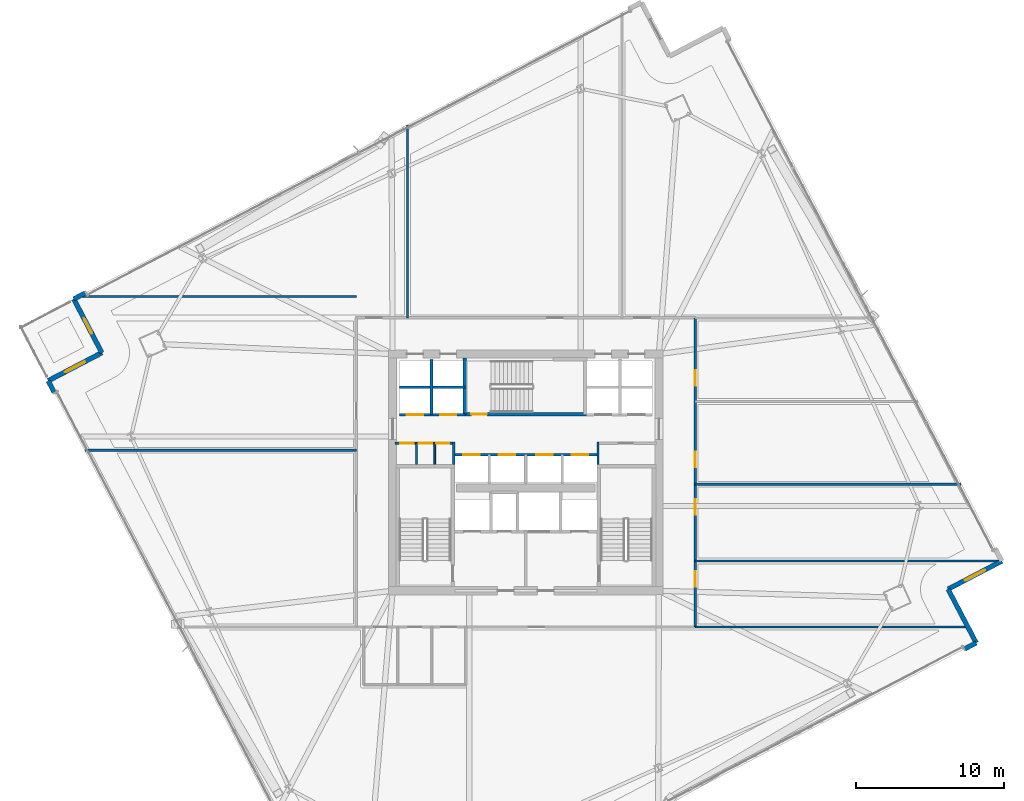
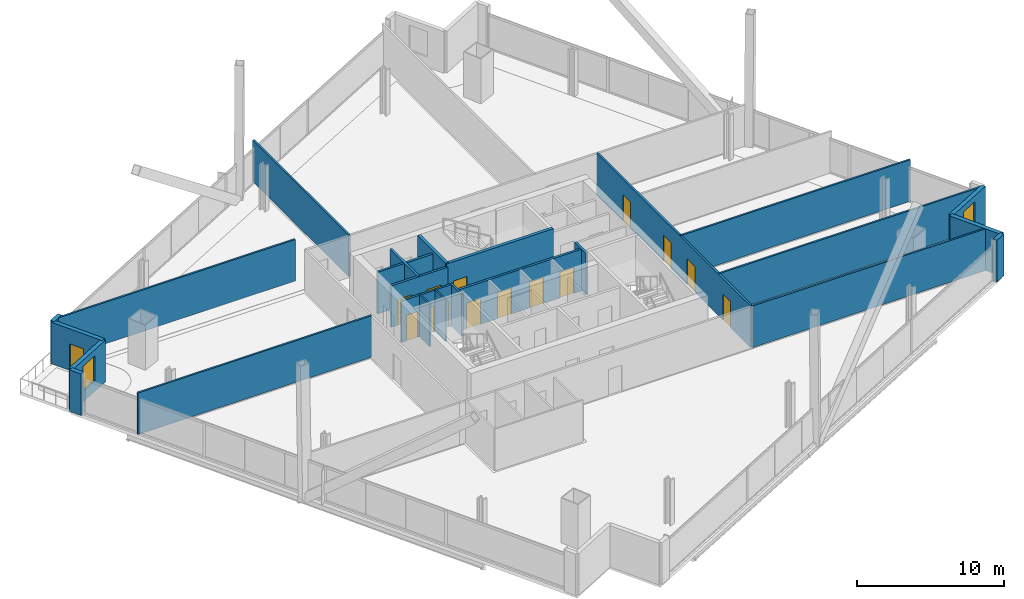
# One storey, part 27 of 33: 25 walls, 15 doors, 2 windows, 17 openings.
"""IFC4 building model written with IfcOpenShell, lengths in metres."""

from ifc_helpers import new_model, si_unit, direction, frame, frame_2d, origin, place, context, subcontext, project, spatial, rectangle, extrude, material, layer, layer_set, type_object, element, fill, save


model = new_model("IFC4")

# Units and contexts
model_context = context("Model", 3, precision=1e-05, world=origin(), true_north=direction((0.0, 1.0)))
body_context = subcontext(model_context, "Body", "Model", "MODEL_VIEW")
ifc_project = project(units=[si_unit("LENGTHUNIT", "METRE"), si_unit("AREAUNIT", "SQUARE_METRE"), si_unit("VOLUMEUNIT", "CUBIC_METRE"), si_unit("PLANEANGLEUNIT", "RADIAN"), si_unit("MASSUNIT", "GRAM", prefix="KILO")], contexts=[model_context])

# Site, building, storey
site_placement = place(None, origin())
site = spatial("IfcSite", under=ifc_project, at=site_placement, CompositionType="ELEMENT")
building_placement = place(site_placement, origin())
building = spatial("IfcBuilding", under=site, at=building_placement, Name="Haldenkirk Collegiate Tower", CompositionType="ELEMENT")
storey_placement = place(building_placement, frame((0.0, 0.0, 120.449951171875)))
storey = spatial("IfcBuildingStorey", under=building, at=storey_placement, Name="L29", CompositionType="ELEMENT", Elevation=120.449951171875)

# Walls
ifc_material_1 = material(Name="Precast concrete f'c 40 MPa", Category="concrete")
ifc_layer_1 = layer(ifc_material_1, 0.320068359375)
ifc_layer_set_1 = layer_set([ifc_layer_1], Name="Precast concrete f'c 40 MPa")
wall_type_1 = type_object("IfcWallType", Name="WL-EXT-TWR-320", PredefinedType="STANDARD", material=ifc_layer_set_1)
wall_1_placement = place(storey_placement, frame((66.4560546875, 14.473388671875, 0.0), z_axis=(0.0, 0.0, 1.0), x_axis=(-0.886197601348, -0.463307469575, 0.0)))
element("IfcWall", 1, at=wall_1_placement, inside=storey, type_object=wall_type_1, Name="L29 precast corner pier SL", PredefinedType="STANDARD", context=body_context, shape_type="SweptSolid", body=[
    extrude(rectangle(XDim=0.900146484375, YDim=0.320068359375, at=frame_2d((0.4501953125, 0.0))), origin(), (0.0, 0.0, 1.0), 3.449951171875),
])
wall_2_placement = place(storey_placement, frame((64.556396484375, 18.10693359375, 0.0), z_axis=(0.0, 0.0, 1.0), x_axis=(0.463312665427, -0.886194884918, 0.0)))
element("IfcWall", 2, at=wall_2_placement, inside=storey, type_object=wall_type_1, Name="L29 bronze precast notch wall 02", PredefinedType="STANDARD", context=body_context, shape_type="SweptSolid", body=[
    extrude(rectangle(XDim=4.10009765625, YDim=0.320068359375, at=frame_2d((2.050048828125, 0.0))), origin(), (0.0, 0.0, 1.0), 3.449951171875),
])

# Wall, opening, window
wall_3_placement = place(storey_placement, frame((68.18994140625, 20.00634765625, 0.0), z_axis=(0.0, 0.0, 1.0), x_axis=(-0.886219332293, -0.463265901044, 0.0)))
wall_3 = element("IfcWall", 3, at=wall_3_placement, inside=storey, type_object=wall_type_1, Name="L29 bronze precast notch wall 03", PredefinedType="STANDARD", context=body_context, shape_type="SweptSolid", body=[
    extrude(rectangle(XDim=4.10009765625, YDim=0.320068359375, at=frame_2d((2.050048828125, 0.0))), origin(), (0.0, 0.0, 1.0), 3.449951171875),
])
opening_1_placement = place(wall_3_placement, frame((1.300048828125, 0.0, 0.85009765625)))
opening_1 = element("IfcOpeningElement", 4, at=opening_1_placement, cuts=wall_3, Name="Opening W-04", PredefinedType="OPENING", context=body_context, shape_type="SweptSolid", body=[
    extrude(rectangle(XDim=1.5, YDim=2.10009765625, at=frame_2d((0.75, 1.050048828125))), frame((0.0, 0.169921875, 0.0), z_axis=(0.0, -1.0, 0.0), x_axis=(1.0, 0.0, 0.0)), (0.0, 0.0, 1.0), 0.340087890625),
])
ifc_material_2 = material(Name="Low-E argon triple insulating glass", Category="glass")
ifc_layer_2 = layer(ifc_material_2, 0.090087890625)
ifc_layer_set_2 = layer_set([ifc_layer_2], Name="Low-E argon triple insulating glass")
window_type = type_object("IfcWindowType", Name="WN-Z2-1500X2100", PartitioningType="SINGLE_PANEL", PredefinedType="WINDOW", material=ifc_layer_set_2)
window_1_placement = place(opening_1_placement, origin())
window_1 = element("IfcWindow", 5, at=window_1_placement, inside=storey, type_object=window_type, Name="L29 precast-frame academic window 2", OverallHeight=2.10009765625, OverallWidth=1.5, PartitioningType="SINGLE_PANEL", PredefinedType="WINDOW", context=body_context, shape_type="SweptSolid", body=[
    extrude(rectangle(XDim=1.5, YDim=2.10009765625, at=frame_2d((0.75, 1.050048828125))), frame((0.0, 0.030029296875, 0.0), z_axis=(0.0, -1.0, 0.0), x_axis=(1.0, 0.0, 0.0)), (0.0, 0.0, 1.0), 0.06005859375),
])
fill(opening_1, window_1)

# Wall
wall_4_placement = place(storey_placement, frame((5.439697265625, 37.725830078125, 0.0), z_axis=(0.0, 0.0, 1.0), x_axis=(0.886197601348, 0.463307469575, 0.0)))
element("IfcWall", 6, at=wall_4_placement, inside=storey, type_object=wall_type_1, Name="L29 precast corner pier NL", PredefinedType="STANDARD", context=body_context, shape_type="SweptSolid", body=[
    extrude(rectangle(XDim=0.900146484375, YDim=0.320068359375, at=frame_2d((0.4501953125, 0.0))), origin(), (0.0, 0.0, 1.0), 3.449951171875),
])

# Wall, opening, door
wall_5_placement = place(storey_placement, frame((7.33935546875, 34.092529296875, 0.0), z_axis=(0.0, 0.0, 1.0), x_axis=(-0.463337114475, 0.886182102251, 0.0)))
wall_5 = element("IfcWall", 7, at=wall_5_placement, inside=storey, type_object=wall_type_1, Name="L29 bronze precast notch wall 08", PredefinedType="STANDARD", context=body_context, shape_type="SweptSolid", body=[
    extrude(rectangle(XDim=4.099853515625, YDim=0.320068359375, at=frame_2d((2.0498046875, 0.0))), origin(), (0.0, 0.0, 1.0), 3.449951171875),
])
opening_2_placement = place(wall_5_placement, frame((1.47509765625, 0.0, 0.0)))
opening_2 = element("IfcOpeningElement", 8, at=opening_2_placement, cuts=wall_5, Name="Opening D-ST11", PredefinedType="OPENING", context=body_context, shape_type="SweptSolid", body=[
    extrude(rectangle(XDim=1.14990234375, YDim=2.199951171875, at=frame_2d((0.574951171875, 1.10009765625))), frame((0.0, 0.169921875, 0.0), z_axis=(0.0, -1.0, 0.0), x_axis=(1.0, 0.0, 0.0)), (0.0, 0.0, 1.0), 0.340087890625),
])
ifc_material_3 = material(Name="Anodised architectural bronze aluminium", Category="aluminium")
ifc_layer_3 = layer(ifc_material_3, 0.080078125)
ifc_layer_set_3 = layer_set([ifc_layer_3], Name="Anodised architectural bronze aluminium")
door_type_1 = type_object("IfcDoorType", Name="DR-EXT-STER-1150", OperationType="NOTDEFINED", PredefinedType="DOOR", material=ifc_layer_set_3)
door_1_placement = place(opening_2_placement, origin())
door_1 = element("IfcDoor", 9, at=door_1_placement, inside=storey, type_object=door_type_1, Name="L29 spiralling terrace door", OperationType="SINGLE_SWING_RIGHT", OverallHeight=2.199951171875, OverallWidth=1.14990234375, PredefinedType="DOOR", context=body_context, shape_type="SweptSolid", body=[
    extrude(rectangle(XDim=1.14990234375, YDim=2.199951171875, at=frame_2d((0.574951171875, 1.10009765625))), frame((0.0, 0.02490234375, 0.0), z_axis=(0.0, -1.0, 0.0), x_axis=(1.0, 0.0, 0.0)), (0.0, 0.0, 1.0), 0.050048828125),
])
fill(opening_2, door_1)

# Wall, opening, window
wall_6_placement = place(storey_placement, frame((3.705810546875, 32.193115234375, 0.0), z_axis=(0.0, 0.0, 1.0), x_axis=(0.886219332293, 0.463265901044, 0.0)))
wall_6 = element("IfcWall", 10, at=wall_6_placement, inside=storey, type_object=wall_type_1, Name="L29 bronze precast notch wall 09", PredefinedType="STANDARD", context=body_context, shape_type="SweptSolid", body=[
    extrude(rectangle(XDim=4.10009765625, YDim=0.320068359375, at=frame_2d((2.050048828125, 0.0))), origin(), (0.0, 0.0, 1.0), 3.449951171875),
])
opening_3_placement = place(wall_6_placement, frame((1.300048828125, 0.0, 0.85009765625)))
opening_3 = element("IfcOpeningElement", 11, at=opening_3_placement, cuts=wall_6, Name="Opening W-04", PredefinedType="OPENING", context=body_context, shape_type="SweptSolid", body=[
    extrude(rectangle(XDim=1.5, YDim=2.10009765625, at=frame_2d((0.75, 1.050048828125))), frame((0.0, 0.169921875, 0.0), z_axis=(0.0, -1.0, 0.0), x_axis=(1.0, 0.0, 0.0)), (0.0, 0.0, 1.0), 0.340087890625),
])
window_2_placement = place(opening_3_placement, origin())
window_2 = element("IfcWindow", 12, at=window_2_placement, inside=storey, type_object=window_type, Name="L29 precast-frame academic window 8", OverallHeight=2.10009765625, OverallWidth=1.5, PartitioningType="SINGLE_PANEL", PredefinedType="WINDOW", context=body_context, shape_type="SweptSolid", body=[
    extrude(rectangle(XDim=1.5, YDim=2.10009765625, at=frame_2d((0.75, 1.050048828125))), frame((0.0, 0.030029296875, 0.0), z_axis=(0.0, -1.0, 0.0), x_axis=(1.0, 0.0, 0.0)), (0.0, 0.0, 1.0), 0.06005859375),
])
fill(opening_3, window_2)

# Wall
wall_7_placement = place(storey_placement, frame((4.122802734375, 31.3955078125, 0.0), z_axis=(0.0, 0.0, 1.0), x_axis=(-0.463307469575, 0.886197601348, 0.0)))
element("IfcWall", 13, at=wall_7_placement, inside=storey, type_object=wall_type_1, Name="L29 precast corner pier WR", PredefinedType="STANDARD", context=body_context, shape_type="SweptSolid", body=[
    extrude(rectangle(XDim=0.900146484375, YDim=0.320068359375, at=frame_2d((0.4501953125, 0.0))), origin(), (0.0, 0.0, 1.0), 3.449951171875),
])

# Wall, openings, doors
ifc_material_4 = material(Name="Acoustic fire-rated gypsum partition", Category="concrete")
ifc_layer_4 = layer(ifc_material_4, 0.159912109375)
ifc_layer_set_4 = layer_set([ifc_layer_4], Name="Acoustic fire-rated gypsum partition")
wall_type_2 = type_object("IfcWallType", Name="WL-INT-CORR-160", PredefinedType="PARTITIONING", material=ifc_layer_set_4)
wall_8_placement = place(storey_placement, frame((27.14990234375, 27.97998046875, 0.0), z_axis=(0.0, 0.0, 1.0), x_axis=(1.0, 0.0, 0.0)))
wall_8 = element("IfcWall", 14, at=wall_8_placement, inside=storey, type_object=wall_type_2, Name="L29 interior partition IW-L29-VCSW-N", PredefinedType="PARTITIONING", context=body_context, shape_type="SweptSolid", body=[
    extrude(rectangle(XDim=4.050048828125, YDim=0.159912109375, at=frame_2d((2.02490234375, 0.0))), origin(), (0.0, 0.0, 1.0), 3.449951171875),
])
opening_4_placement = place(wall_8_placement, frame((0.360107421875, 0.0, 0.0)))
opening_4 = element("IfcOpeningElement", 15, at=opening_4_placement, cuts=wall_8, Name="Opening D-11", PredefinedType="OPENING", context=body_context, shape_type="SweptSolid", body=[
    extrude(rectangle(XDim=0.89990234375, YDim=2.14990234375, at=frame_2d((0.449951171875, 1.074951171875))), frame((0.0, 0.08984375, 0.0), z_axis=(0.0, -1.0, 0.0), x_axis=(1.0, 0.0, 0.0)), (0.0, 0.0, 1.0), 0.179931640625),
])
opening_5_placement = place(wall_8_placement, frame((1.6298828125, 0.0, 0.0)))
opening_5 = element("IfcOpeningElement", 16, at=opening_5_placement, cuts=wall_8, Name="Opening D-11", PredefinedType="OPENING", context=body_context, shape_type="SweptSolid", body=[
    extrude(rectangle(XDim=0.89990234375, YDim=2.14990234375, at=frame_2d((0.449951171875, 1.074951171875))), frame((0.0, 0.08984375, 0.0), z_axis=(0.0, -1.0, 0.0), x_axis=(1.0, 0.0, 0.0)), (0.0, 0.0, 1.0), 0.179931640625),
])
opening_6_placement = place(wall_8_placement, frame((2.78759765625, 0.0, 0.0)))
opening_6 = element("IfcOpeningElement", 17, at=opening_6_placement, cuts=wall_8, Name="Opening D-11", PredefinedType="OPENING", context=body_context, shape_type="SweptSolid", body=[
    extrude(rectangle(XDim=0.89990234375, YDim=2.14990234375, at=frame_2d((0.449951171875, 1.074951171875))), frame((0.0, 0.08984375, 0.0), z_axis=(0.0, -1.0, 0.0), x_axis=(1.0, 0.0, 0.0)), (0.0, 0.0, 1.0), 0.179931640625),
])
ifc_material_5 = material(Name="Solid-core architectural oak fire door", Category="wood")
ifc_layer_5 = layer(ifc_material_5, 0.06005859375)
ifc_layer_set_5 = layer_set([ifc_layer_5], Name="Solid-core architectural oak fire door")
door_type_2 = type_object("IfcDoorType", Name="DR-INT-FD60-900", OperationType="NOTDEFINED", PredefinedType="DOOR", material=ifc_layer_set_5)
door_2_placement = place(opening_4_placement, origin())
door_2 = element("IfcDoor", 18, at=door_2_placement, inside=storey, type_object=door_type_2, Name="L29 core study booth door", OperationType="SINGLE_SWING_LEFT", OverallHeight=2.14990234375, OverallWidth=0.89990234375, PredefinedType="DOOR", context=body_context, shape_type="SweptSolid", body=[
    extrude(rectangle(XDim=0.89990234375, YDim=2.14990234375, at=frame_2d((0.449951171875, 1.074951171875))), frame((0.0, 0.02490234375, 0.0), z_axis=(0.0, -1.0, 0.0), x_axis=(1.0, 0.0, 0.0)), (0.0, 0.0, 1.0), 0.050048828125),
])
fill(opening_4, door_2)
door_3_placement = place(opening_5_placement, origin())
door_3 = element("IfcDoor", 19, at=door_3_placement, inside=storey, type_object=door_type_2, Name="L29 core cleaners door", OperationType="SINGLE_SWING_RIGHT", OverallHeight=2.14990234375, OverallWidth=0.89990234375, PredefinedType="DOOR", context=body_context, shape_type="SweptSolid", body=[
    extrude(rectangle(XDim=0.89990234375, YDim=2.14990234375, at=frame_2d((0.449951171875, 1.074951171875))), frame((0.0, 0.02490234375, 0.0), z_axis=(0.0, -1.0, 0.0), x_axis=(1.0, 0.0, 0.0)), (0.0, 0.0, 1.0), 0.050048828125),
])
fill(opening_5, door_3)
door_4_placement = place(opening_6_placement, origin())
door_4 = element("IfcDoor", 20, at=door_4_placement, inside=storey, type_object=door_type_2, Name="L29 core stationery door", OperationType="SINGLE_SWING_LEFT", OverallHeight=2.14990234375, OverallWidth=0.89990234375, PredefinedType="DOOR", context=body_context, shape_type="SweptSolid", body=[
    extrude(rectangle(XDim=0.89990234375, YDim=2.14990234375, at=frame_2d((0.449951171875, 1.074951171875))), frame((0.0, 0.02490234375, 0.0), z_axis=(0.0, -1.0, 0.0), x_axis=(1.0, 0.0, 0.0)), (0.0, 0.0, 1.0), 0.050048828125),
])
fill(opening_6, door_4)

# Walls
for number, where, z_axis, x_axis, name in (
    (21, (31.1201171875, 26.5400390625, 0.0), (0.0, 0.0, 1.0), (0.0, 1.0, 0.0), "L29 interior partition IW-L29-VCSW-E"),
    (22, (40.8798828125, 26.5400390625, 0.0), (0.0, 0.0, 1.0), (0.0, 1.0, 0.0), "L29 interior partition IW-L29-VCSE-W"),
):
    element("IfcWall", number, at=place(storey_placement, frame(where, z_axis=z_axis, x_axis=x_axis)), inside=storey, type_object=wall_type_2, Name=name, PredefinedType="PARTITIONING", context=body_context, shape_type="SweptSolid", body=[
        extrude(rectangle(XDim=1.510009765625, YDim=0.159912109375, at=frame_2d((0.7548828125, 0.0))), origin(), (0.0, 0.0, 1.0), 3.449951171875),
    ])

# Wall, openings, doors
wall_9_placement = place(storey_placement, frame((47.449951171875, 15.550048828125, 0.0), z_axis=(0.0, 0.0, 1.0), x_axis=(0.0, 1.0, 0.0)))
wall_9 = element("IfcWall", 23, at=wall_9_placement, inside=storey, type_object=wall_type_2, Name="L29 interior partition IW-L29-CE", PredefinedType="PARTITIONING", context=body_context, shape_type="SweptSolid", body=[
    extrude(rectangle(XDim=20.89990234375, YDim=0.159912109375, at=frame_2d((10.449951171875, 0.0))), origin(), (0.0, 0.0, 1.0), 3.449951171875),
])
opening_7_placement = place(wall_9_placement, frame((2.72705078125, 0.0, 0.0)))
opening_7 = element("IfcOpeningElement", 24, at=opening_7_placement, cuts=wall_9, Name="Opening D-09", PredefinedType="OPENING", context=body_context, shape_type="SweptSolid", body=[
    extrude(rectangle(XDim=1.050048828125, YDim=2.14990234375, at=frame_2d((0.52490234375, 1.074951171875))), frame((0.0, 0.08984375, 0.0), z_axis=(0.0, -1.0, 0.0), x_axis=(1.0, 0.0, 0.0)), (0.0, 0.0, 1.0), 0.179931640625),
])
opening_8_placement = place(wall_9_placement, frame((7.5810546875, 0.0, 0.0)))
opening_8 = element("IfcOpeningElement", 25, at=opening_8_placement, cuts=wall_9, Name="Opening D-09", PredefinedType="OPENING", context=body_context, shape_type="SweptSolid", body=[
    extrude(rectangle(XDim=1.050048828125, YDim=2.14990234375, at=frame_2d((0.52490234375, 1.074951171875))), frame((0.0, 0.08984375, 0.0), z_axis=(0.0, -1.0, 0.0), x_axis=(1.0, 0.0, 0.0)), (0.0, 0.0, 1.0), 0.179931640625),
])
opening_9_placement = place(wall_9_placement, frame((10.797119140625, 0.0, 0.0)))
opening_9 = element("IfcOpeningElement", 26, at=opening_9_placement, cuts=wall_9, Name="Opening D-09", PredefinedType="OPENING", context=body_context, shape_type="SweptSolid", body=[
    extrude(rectangle(XDim=1.050048828125, YDim=2.14990234375, at=frame_2d((0.52490234375, 1.074951171875))), frame((0.0, 0.08984375, 0.0), z_axis=(0.0, -1.0, 0.0), x_axis=(1.0, 0.0, 0.0)), (0.0, 0.0, 1.0), 0.179931640625),
])
opening_10_placement = place(wall_9_placement, frame((16.306884765625, 0.0, 0.0)))
opening_10 = element("IfcOpeningElement", 27, at=opening_10_placement, cuts=wall_9, Name="Opening D-09", PredefinedType="OPENING", context=body_context, shape_type="SweptSolid", body=[
    extrude(rectangle(XDim=1.050048828125, YDim=2.14990234375, at=frame_2d((0.52490234375, 1.074951171875))), frame((0.0, 0.08984375, 0.0), z_axis=(0.0, -1.0, 0.0), x_axis=(1.0, 0.0, 0.0)), (0.0, 0.0, 1.0), 0.179931640625),
])
ifc_layer_6 = layer(ifc_material_5, 0.06005859375)
ifc_layer_set_6 = layer_set([ifc_layer_6], Name="Solid-core architectural oak fire door")
door_type_3 = type_object("IfcDoorType", Name="DR-INT-FD60-1050", OperationType="NOTDEFINED", PredefinedType="DOOR", material=ifc_layer_set_6)
door_5_placement = place(opening_7_placement, origin())
door_5 = element("IfcDoor", 28, at=door_5_placement, inside=storey, type_object=door_type_3, Name="L29 Hospitality Tea Kitchen 7 door", OperationType="SINGLE_SWING_RIGHT", OverallHeight=2.14990234375, OverallWidth=1.050048828125, PredefinedType="DOOR", context=body_context, shape_type="SweptSolid", body=[
    extrude(rectangle(XDim=1.050048828125, YDim=2.14990234375, at=frame_2d((0.52490234375, 1.074951171875))), frame((0.0, 0.02490234375, 0.0), z_axis=(0.0, -1.0, 0.0), x_axis=(1.0, 0.0, 0.0)), (0.0, 0.0, 1.0), 0.050048828125),
])
fill(opening_7, door_5)
door_6_placement = place(opening_8_placement, origin())
door_6 = element("IfcDoor", 29, at=door_6_placement, inside=storey, type_object=door_type_3, Name="L29 Catering Tea Kitchen 8 door", OperationType="SINGLE_SWING_LEFT", OverallHeight=2.14990234375, OverallWidth=1.050048828125, PredefinedType="DOOR", context=body_context, shape_type="SweptSolid", body=[
    extrude(rectangle(XDim=1.050048828125, YDim=2.14990234375, at=frame_2d((0.52490234375, 1.074951171875))), frame((0.0, 0.02490234375, 0.0), z_axis=(0.0, -1.0, 0.0), x_axis=(1.0, 0.0, 0.0)), (0.0, 0.0, 1.0), 0.050048828125),
])
fill(opening_8, door_6)
door_7_placement = place(opening_9_placement, origin())
door_7 = element("IfcDoor", 30, at=door_7_placement, inside=storey, type_object=door_type_3, Name="L29 Faculty Tea Kitchen 9 door", OperationType="SINGLE_SWING_RIGHT", OverallHeight=2.14990234375, OverallWidth=1.050048828125, PredefinedType="DOOR", context=body_context, shape_type="SweptSolid", body=[
    extrude(rectangle(XDim=1.050048828125, YDim=2.14990234375, at=frame_2d((0.52490234375, 1.074951171875))), frame((0.0, 0.02490234375, 0.0), z_axis=(0.0, -1.0, 0.0), x_axis=(1.0, 0.0, 0.0)), (0.0, 0.0, 1.0), 0.050048828125),
])
fill(opening_9, door_7)
door_8_placement = place(opening_10_placement, origin())
door_8 = element("IfcDoor", 31, at=door_8_placement, inside=storey, type_object=door_type_3, Name="L29 Academic Tea Kitchen 10 door", OperationType="SINGLE_SWING_LEFT", OverallHeight=2.14990234375, OverallWidth=1.050048828125, PredefinedType="DOOR", context=body_context, shape_type="SweptSolid", body=[
    extrude(rectangle(XDim=1.050048828125, YDim=2.14990234375, at=frame_2d((0.52490234375, 1.074951171875))), frame((0.0, 0.02490234375, 0.0), z_axis=(0.0, -1.0, 0.0), x_axis=(1.0, 0.0, 0.0)), (0.0, 0.0, 1.0), 0.050048828125),
])
fill(opening_10, door_8)

# Walls
ifc_layer_7 = layer(ifc_material_4, 0.139892578125)
ifc_layer_set_7 = layer_set([ifc_layer_7], Name="Acoustic fire-rated gypsum partition")
wall_type_3 = type_object("IfcWallType", Name="WL-INT-DIV-140", PredefinedType="PARTITIONING", material=ifc_layer_set_7)
wall_10_placement = place(storey_placement, frame((5.859130859375, 37.89990234375, 0.0), z_axis=(0.0, 0.0, 1.0), x_axis=(1.0, 0.0, 0.0)))
element("IfcWall", 32, at=wall_10_placement, inside=storey, type_object=wall_type_3, Name="L29 interior partition IW-L29-BWN", PredefinedType="PARTITIONING", context=body_context, shape_type="SweptSolid", body=[
    extrude(rectangle(XDim=18.69091796875, YDim=0.139892578125, at=frame_2d((9.345458984375, 0.0))), origin(), (0.0, 0.0, 1.0), 3.449951171875),
])
wall_11_placement = place(storey_placement, frame((47.449951171875, 15.550048828125, 0.0), z_axis=(0.0, 0.0, 1.0), x_axis=(1.0, 0.0, 0.0)))
element("IfcWall", 33, at=wall_11_placement, inside=storey, type_object=wall_type_3, Name="L29 interior partition IW-L29-BES", PredefinedType="PARTITIONING", context=body_context, shape_type="SweptSolid", body=[
    extrude(rectangle(XDim=18.398193359375, YDim=0.139892578125, at=frame_2d((9.19921875, 0.0))), origin(), (0.0, 0.0, 1.0), 3.449951171875),
])
wall_12_placement = place(storey_placement, frame((28.0, 36.449951171875, 0.0), z_axis=(0.0, 0.0, 1.0), x_axis=(0.0, 1.0, 0.0)))
element("IfcWall", 34, at=wall_12_placement, inside=storey, type_object=wall_type_3, Name="L29 interior partition IW-L29-RN1", PredefinedType="PARTITIONING", context=body_context, shape_type="SweptSolid", body=[
    extrude(rectangle(XDim=13.025146484375, YDim=0.139892578125, at=frame_2d((6.5126953125, 0.0))), origin(), (0.0, 0.0, 1.0), 3.449951171875),
])
wall_13_placement = place(storey_placement, frame((6.20458984375, 27.5, 0.0), z_axis=(0.0, 0.0, 1.0), x_axis=(1.0, 0.0, 0.0)))
element("IfcWall", 35, at=wall_13_placement, inside=storey, type_object=wall_type_3, Name="L29 interior partition IW-L29-RW1", PredefinedType="PARTITIONING", context=body_context, shape_type="SweptSolid", body=[
    extrude(rectangle(XDim=18.345458984375, YDim=0.139892578125, at=frame_2d((9.1728515625, 0.0))), origin(), (0.0, 0.0, 1.0), 3.449951171875),
])
wall_14_placement = place(storey_placement, frame((47.449951171875, 20.0, 0.0), z_axis=(0.0, 0.0, 1.0), x_axis=(1.0, 0.0, 0.0)))
element("IfcWall", 36, at=wall_14_placement, inside=storey, type_object=wall_type_3, Name="L29 interior partition IW-L29-RE1", PredefinedType="PARTITIONING", context=body_context, shape_type="SweptSolid", body=[
    extrude(rectangle(XDim=20.641357421875, YDim=0.139892578125, at=frame_2d((10.32080078125, 0.0))), origin(), (0.0, 0.0, 1.0), 3.449951171875),
])
wall_15_placement = place(storey_placement, frame((47.449951171875, 25.199951171875, 0.0), z_axis=(0.0, 0.0, 1.0), x_axis=(1.0, 0.0, 0.0)))
element("IfcWall", 37, at=wall_15_placement, inside=storey, type_object=wall_type_3, Name="L29 interior partition IW-L29-RE2", PredefinedType="PARTITIONING", context=body_context, shape_type="SweptSolid", body=[
    extrude(rectangle(XDim=17.979736328125, YDim=0.139892578125, at=frame_2d((8.98974609375, 0.0))), origin(), (0.0, 0.0, 1.0), 3.449951171875),
])

# Wall, openings, doors
ifc_material_6 = material(Name="Fire-rated gypsum shaftboard assembly", Category="concrete")
ifc_layer_8 = layer(ifc_material_6, 0.179931640625)
ifc_layer_set_8 = layer_set([ifc_layer_8], Name="Fire-rated gypsum shaftboard assembly")
wall_type_4 = type_object("IfcWallType", Name="WL-INT-SHAFT-180", PredefinedType="PARTITIONING", material=ifc_layer_set_8)
wall_16_placement = place(storey_placement, frame((27.449951171875, 29.89990234375, 0.0), z_axis=(0.0, 0.0, 1.0), x_axis=(1.0, 0.0, 0.0)))
wall_16 = element("IfcWall", 38, at=wall_16_placement, inside=storey, type_object=wall_type_4, Name="L29 interior partition IW-L29-PLS", PredefinedType="PARTITIONING", context=body_context, shape_type="SweptSolid", body=[
    extrude(rectangle(XDim=4.429931640625, YDim=0.179931640625, at=frame_2d((2.21484375, 0.0))), origin(), (0.0, 0.0, 1.0), 3.449951171875),
])
opening_11_placement = place(wall_16_placement, frame((0.514892578125, 0.0, 0.0)))
opening_11 = element("IfcOpeningElement", 39, at=opening_11_placement, cuts=wall_16, Name="Opening LD-11", PredefinedType="OPENING", context=body_context, shape_type="SweptSolid", body=[
    extrude(rectangle(XDim=1.10009765625, YDim=2.14990234375, at=frame_2d((0.550048828125, 1.074951171875))), frame((0.0, 0.099853515625, 0.0), z_axis=(0.0, -1.0, 0.0), x_axis=(1.0, 0.0, 0.0)), (0.0, 0.0, 1.0), 0.199951171875),
])
opening_12_placement = place(wall_16_placement, frame((2.764892578125, 0.0, 0.0)))
opening_12 = element("IfcOpeningElement", 40, at=opening_12_placement, cuts=wall_16, Name="Opening LD-11", PredefinedType="OPENING", context=body_context, shape_type="SweptSolid", body=[
    extrude(rectangle(XDim=1.10009765625, YDim=2.14990234375, at=frame_2d((0.550048828125, 1.074951171875))), frame((0.0, 0.099853515625, 0.0), z_axis=(0.0, -1.0, 0.0), x_axis=(1.0, 0.0, 0.0)), (0.0, 0.0, 1.0), 0.199951171875),
])
ifc_material_7 = material(Name="Brushed architectural stainless steel", Category="steel")
ifc_layer_9 = layer(ifc_material_7, 0.06005859375)
ifc_layer_set_9 = layer_set([ifc_layer_9], Name="Brushed architectural stainless steel")
door_type_4 = type_object("IfcDoorType", Name="LD-PASS-1100", OperationType="NOTDEFINED", PredefinedType="DOOR", material=ifc_layer_set_9)
door_9_placement = place(opening_11_placement, origin())
door_9 = element("IfcDoor", 41, at=door_9_placement, inside=storey, type_object=door_type_4, Name="L29 Elevator PL1 sliding landing door", OperationType="SLIDING_TO_LEFT", OverallHeight=2.14990234375, OverallWidth=1.10009765625, PredefinedType="DOOR", context=body_context, shape_type="SweptSolid", body=[
    extrude(rectangle(XDim=1.10009765625, YDim=2.14990234375, at=frame_2d((0.550048828125, 1.074951171875))), frame((0.0, 0.02490234375, 0.0), z_axis=(0.0, -1.0, 0.0), x_axis=(1.0, 0.0, 0.0)), (0.0, 0.0, 1.0), 0.050048828125),
])
fill(opening_11, door_9)
door_10_placement = place(opening_12_placement, origin())
door_10 = element("IfcDoor", 42, at=door_10_placement, inside=storey, type_object=door_type_4, Name="L29 Elevator PL2 sliding landing door", OperationType="SLIDING_TO_LEFT", OverallHeight=2.14990234375, OverallWidth=1.10009765625, PredefinedType="DOOR", context=body_context, shape_type="SweptSolid", body=[
    extrude(rectangle(XDim=1.10009765625, YDim=2.14990234375, at=frame_2d((0.550048828125, 1.074951171875))), frame((0.0, 0.02490234375, 0.0), z_axis=(0.0, -1.0, 0.0), x_axis=(1.0, 0.0, 0.0)), (0.0, 0.0, 1.0), 0.050048828125),
])
fill(opening_12, door_10)

# Walls
wall_17_placement = place(storey_placement, frame((27.449951171875, 31.75, 0.0), z_axis=(0.0, 0.0, 1.0), x_axis=(1.0, 0.0, 0.0)))
element("IfcWall", 43, at=wall_17_placement, inside=storey, type_object=wall_type_4, Name="L29 interior partition IW-L29-PLM", PredefinedType="PARTITIONING", context=body_context, shape_type="SweptSolid", body=[
    extrude(rectangle(XDim=4.429931640625, YDim=0.179931640625, at=frame_2d((2.21484375, 0.0))), origin(), (0.0, 0.0, 1.0), 3.449951171875),
])
wall_18_placement = place(storey_placement, frame((29.6298828125, 29.89990234375, 0.0), z_axis=(0.0, 0.0, 1.0), x_axis=(0.0, 1.0, 0.0)))
element("IfcWall", 44, at=wall_18_placement, inside=storey, type_object=wall_type_4, Name="L29 interior partition IW-L29-PLV", PredefinedType="PARTITIONING", context=body_context, shape_type="SweptSolid", body=[
    extrude(rectangle(XDim=3.75, YDim=0.179931640625, at=frame_2d((1.875, 0.0))), origin(), (0.0, 0.0, 1.0), 3.449951171875),
])

# Wall, openings, doors
wall_19_placement = place(storey_placement, frame((31.199951171875, 27.199951171875, 0.0), z_axis=(0.0, 0.0, 1.0), x_axis=(1.0, 0.0, 0.0)))
wall_19 = element("IfcWall", 45, at=wall_19_placement, inside=storey, type_object=wall_type_4, Name="L29 interior partition IW-L29-PHN", PredefinedType="PARTITIONING", context=body_context, shape_type="SweptSolid", body=[
    extrude(rectangle(XDim=9.60009765625, YDim=0.179931640625, at=frame_2d((4.800048828125, 0.0))), origin(), (0.0, 0.0, 1.0), 3.449951171875),
])
opening_13_placement = place(wall_19_placement, frame((0.590087890625, 0.0, 0.0)))
opening_13 = element("IfcOpeningElement", 46, at=opening_13_placement, cuts=wall_19, Name="Opening LD-11", PredefinedType="OPENING", context=body_context, shape_type="SweptSolid", body=[
    extrude(rectangle(XDim=1.10009765625, YDim=2.14990234375, at=frame_2d((0.550048828125, 1.074951171875))), frame((0.0, 0.099853515625, 0.0), z_axis=(0.0, -1.0, 0.0), x_axis=(1.0, 0.0, 0.0)), (0.0, 0.0, 1.0), 0.199951171875),
])
opening_14_placement = place(wall_19_placement, frame((2.989990234375, 0.0, 0.0)))
opening_14 = element("IfcOpeningElement", 47, at=opening_14_placement, cuts=wall_19, Name="Opening LD-11", PredefinedType="OPENING", context=body_context, shape_type="SweptSolid", body=[
    extrude(rectangle(XDim=1.10009765625, YDim=2.14990234375, at=frame_2d((0.550048828125, 1.074951171875))), frame((0.0, 0.099853515625, 0.0), z_axis=(0.0, -1.0, 0.0), x_axis=(1.0, 0.0, 0.0)), (0.0, 0.0, 1.0), 0.199951171875),
])
opening_15_placement = place(wall_19_placement, frame((5.510009765625, 0.0, 0.0)))
opening_15 = element("IfcOpeningElement", 48, at=opening_15_placement, cuts=wall_19, Name="Opening LD-11", PredefinedType="OPENING", context=body_context, shape_type="SweptSolid", body=[
    extrude(rectangle(XDim=1.10009765625, YDim=2.14990234375, at=frame_2d((0.550048828125, 1.074951171875))), frame((0.0, 0.099853515625, 0.0), z_axis=(0.0, -1.0, 0.0), x_axis=(1.0, 0.0, 0.0)), (0.0, 0.0, 1.0), 0.199951171875),
])
opening_16_placement = place(wall_19_placement, frame((7.909912109375, 0.0, 0.0)))
opening_16 = element("IfcOpeningElement", 49, at=opening_16_placement, cuts=wall_19, Name="Opening LD-11", PredefinedType="OPENING", context=body_context, shape_type="SweptSolid", body=[
    extrude(rectangle(XDim=1.10009765625, YDim=2.14990234375, at=frame_2d((0.550048828125, 1.074951171875))), frame((0.0, 0.099853515625, 0.0), z_axis=(0.0, -1.0, 0.0), x_axis=(1.0, 0.0, 0.0)), (0.0, 0.0, 1.0), 0.199951171875),
])
door_11_placement = place(opening_13_placement, origin())
door_11 = element("IfcDoor", 50, at=door_11_placement, inside=storey, type_object=door_type_4, Name="L29 Elevator PH1 sliding landing door", OperationType="SLIDING_TO_LEFT", OverallHeight=2.14990234375, OverallWidth=1.10009765625, PredefinedType="DOOR", context=body_context, shape_type="SweptSolid", body=[
    extrude(rectangle(XDim=1.10009765625, YDim=2.14990234375, at=frame_2d((0.550048828125, 1.074951171875))), frame((0.0, 0.02490234375, 0.0), z_axis=(0.0, -1.0, 0.0), x_axis=(1.0, 0.0, 0.0)), (0.0, 0.0, 1.0), 0.050048828125),
])
fill(opening_13, door_11)
door_12_placement = place(opening_14_placement, origin())
door_12 = element("IfcDoor", 51, at=door_12_placement, inside=storey, type_object=door_type_4, Name="L29 Elevator PH2 sliding landing door", OperationType="SLIDING_TO_LEFT", OverallHeight=2.14990234375, OverallWidth=1.10009765625, PredefinedType="DOOR", context=body_context, shape_type="SweptSolid", body=[
    extrude(rectangle(XDim=1.10009765625, YDim=2.14990234375, at=frame_2d((0.550048828125, 1.074951171875))), frame((0.0, 0.02490234375, 0.0), z_axis=(0.0, -1.0, 0.0), x_axis=(1.0, 0.0, 0.0)), (0.0, 0.0, 1.0), 0.050048828125),
])
fill(opening_14, door_12)
door_13_placement = place(opening_15_placement, origin())
door_13 = element("IfcDoor", 52, at=door_13_placement, inside=storey, type_object=door_type_4, Name="L29 Elevator PH3 sliding landing door", OperationType="SLIDING_TO_LEFT", OverallHeight=2.14990234375, OverallWidth=1.10009765625, PredefinedType="DOOR", context=body_context, shape_type="SweptSolid", body=[
    extrude(rectangle(XDim=1.10009765625, YDim=2.14990234375, at=frame_2d((0.550048828125, 1.074951171875))), frame((0.0, 0.02490234375, 0.0), z_axis=(0.0, -1.0, 0.0), x_axis=(1.0, 0.0, 0.0)), (0.0, 0.0, 1.0), 0.050048828125),
])
fill(opening_15, door_13)
door_14_placement = place(opening_16_placement, origin())
door_14 = element("IfcDoor", 53, at=door_14_placement, inside=storey, type_object=door_type_4, Name="L29 Elevator PH4 sliding landing door", OperationType="SLIDING_TO_LEFT", OverallHeight=2.14990234375, OverallWidth=1.10009765625, PredefinedType="DOOR", context=body_context, shape_type="SweptSolid", body=[
    extrude(rectangle(XDim=1.10009765625, YDim=2.14990234375, at=frame_2d((0.550048828125, 1.074951171875))), frame((0.0, 0.02490234375, 0.0), z_axis=(0.0, -1.0, 0.0), x_axis=(1.0, 0.0, 0.0)), (0.0, 0.0, 1.0), 0.050048828125),
])
fill(opening_16, door_14)

# Walls
ifc_layer_10 = layer(ifc_material_4, 0.1201171875)
ifc_layer_set_10 = layer_set([ifc_layer_10], Name="Acoustic fire-rated gypsum partition")
wall_type_5 = type_object("IfcWallType", Name="WL-INT-WET-120", PredefinedType="PARTITIONING", material=ifc_layer_set_10)
for number, where, z_axis, x_axis, name in (
    (54, (28.6201171875, 26.5400390625, 0.0), (0.0, 0.0, 1.0), (0.0, 1.0, 0.0), "L29 interior partition IW-L29-VCSW-M1"),
    (55, (29.840087890625, 26.5400390625, 0.0), (0.0, 0.0, 1.0), (0.0, 1.0, 0.0), "L29 interior partition IW-L29-VCSW-M2"),
):
    element("IfcWall", number, at=place(storey_placement, frame(where, z_axis=z_axis, x_axis=x_axis)), inside=storey, type_object=wall_type_5, Name=name, PredefinedType="PARTITIONING", context=body_context, shape_type="SweptSolid", body=[
        extrude(rectangle(XDim=1.43994140625, YDim=0.1201171875, at=frame_2d((0.719970703125, 0.0))), origin(), (0.0, 0.0, 1.0), 3.449951171875),
    ])

# Wall, opening, door
ifc_material_8 = material(Name="Concrete f'c 55 MPa", Category="concrete")
ifc_layer_11 = layer(ifc_material_8, 0.239990234375)
ifc_layer_set_11 = layer_set([ifc_layer_11], Name="Concrete f'c 55 MPa")
wall_type_6 = type_object("IfcWallType", Name="WL-SHAFT-240", PredefinedType="SHEAR", material=ifc_layer_set_11)
wall_20_placement = place(storey_placement, frame((31.760009765625, 29.929931640625, 0.0), z_axis=(0.0, 0.0, 1.0), x_axis=(1.0, 0.0, 0.0)))
wall_20 = element("IfcWall", 56, at=wall_20_placement, inside=storey, type_object=wall_type_6, Name="L29 stair shaft shear wall SW-L29-ST3S", PredefinedType="SHEAR", context=body_context, shape_type="SweptSolid", body=[
    extrude(rectangle(XDim=8.3798828125, YDim=0.239990234375, at=frame_2d((4.18994140625, 0.0))), origin(), (0.0, 0.0, 1.0), 3.75),
])
opening_17_placement = place(wall_20_placement, frame((0.56494140625, 0.0, 0.0)))
opening_17 = element("IfcOpeningElement", 57, at=opening_17_placement, cuts=wall_20, Name="Opening D-01", PredefinedType="OPENING", context=body_context, shape_type="SweptSolid", body=[
    extrude(rectangle(XDim=1.050048828125, YDim=2.14990234375, at=frame_2d((0.52490234375, 1.074951171875))), frame((0.0, 0.1298828125, 0.0), z_axis=(0.0, -1.0, 0.0), x_axis=(1.0, 0.0, 0.0)), (0.0, 0.0, 1.0), 0.260009765625),
])
ifc_material_9 = material(Name="Galvanized fire-rated hollow steel door", Category="steel")
ifc_layer_12 = layer(ifc_material_9, 0.06005859375)
ifc_layer_set_12 = layer_set([ifc_layer_12], Name="Galvanized fire-rated hollow steel door")
door_type_5 = type_object("IfcDoorType", Name="DR-STAIR-FD90-1050", OperationType="NOTDEFINED", PredefinedType="DOOR", material=ifc_layer_set_12)
door_15_placement = place(opening_17_placement, origin())
door_15 = element("IfcDoor", 58, at=door_15_placement, inside=storey, type_object=door_type_5, Name="L29 lift lobby Stair 3 door", OperationType="SINGLE_SWING_LEFT", OverallHeight=2.14990234375, OverallWidth=1.050048828125, PredefinedType="DOOR", context=body_context, shape_type="SweptSolid", body=[
    extrude(rectangle(XDim=1.050048828125, YDim=2.14990234375, at=frame_2d((0.52490234375, 1.074951171875))), frame((0.0, 0.02490234375, 0.0), z_axis=(0.0, -1.0, 0.0), x_axis=(1.0, 0.0, 0.0)), (0.0, 0.0, 1.0), 0.050048828125),
])
fill(opening_17, door_15)

# Wall
wall_21_placement = place(storey_placement, frame((31.8798828125, 29.929931640625, 0.0), z_axis=(0.0, 0.0, 1.0), x_axis=(0.0, 1.0, 0.0)))
element("IfcWall", 59, at=wall_21_placement, inside=storey, type_object=wall_type_6, Name="L29 stair shaft shear wall SW-L29-ST3W", PredefinedType="SHEAR", context=body_context, shape_type="SweptSolid", body=[
    extrude(rectangle(XDim=3.7900390625, YDim=0.239990234375, at=frame_2d((1.89501953125, 0.0))), origin(), (0.0, 0.0, 1.0), 3.75),
])

save(model, "model.ifc")
